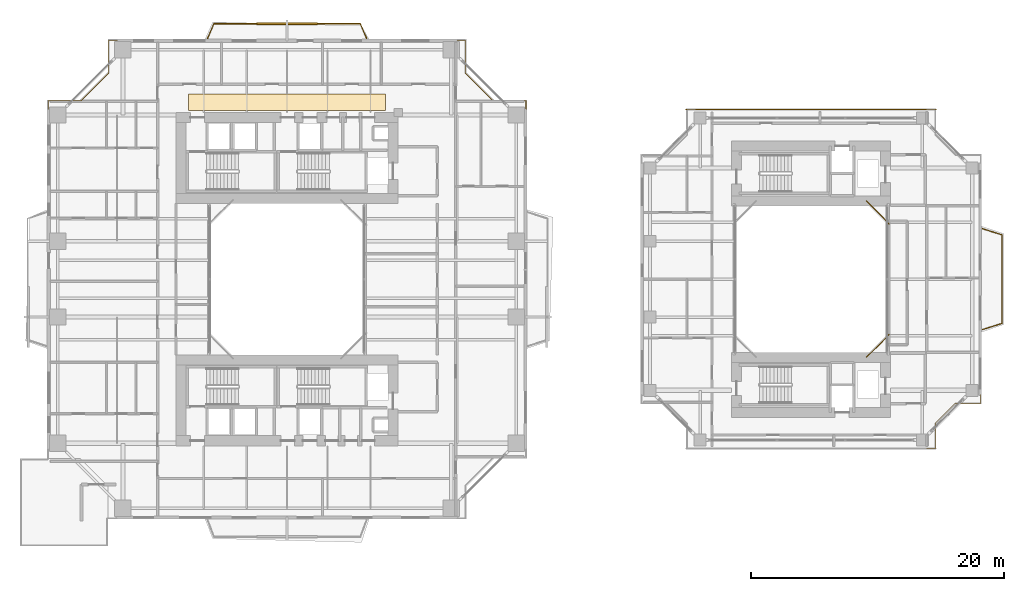
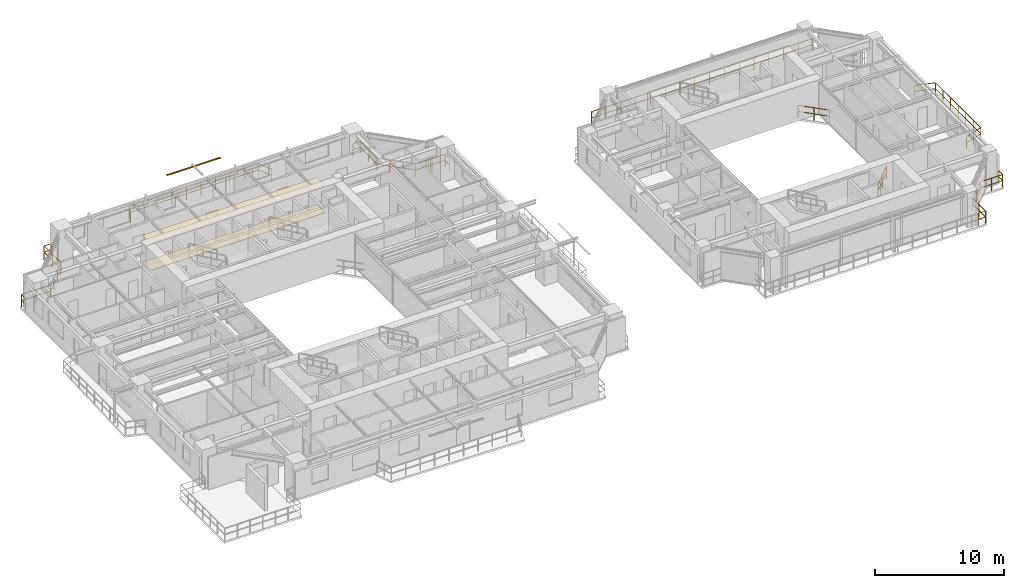
# One storey, part 23 of 24: 8 railings, 2 coverings, 1 shading device.
"""IFC4 building model written with IfcOpenShell, lengths in metres."""

from ifc_helpers import new_model, si_unit, direction, frame, origin, origin_2d, place, context, subcontext, project, spatial, polyline, rectangle, outline, extrude, source, transform, mapped, material, layer, layer_set, material_profile, profile_set, type_object, element, save


model = new_model("IFC4")

# Units and contexts
model_context = context("Model", 3, precision=1e-05, world=origin(), true_north=direction((0.0, 1.0)))
body_context = subcontext(model_context, "Body", "Model", "MODEL_VIEW")
ifc_project = project(units=[si_unit("LENGTHUNIT", "METRE"), si_unit("AREAUNIT", "SQUARE_METRE"), si_unit("VOLUMEUNIT", "CUBIC_METRE"), si_unit("PLANEANGLEUNIT", "RADIAN"), si_unit("MASSUNIT", "GRAM", prefix="KILO"), si_unit("THERMODYNAMICTEMPERATUREUNIT", "KELVIN"), si_unit("POWERUNIT", "WATT")], contexts=[model_context])

# Site, building, storey
site_placement = place(None, origin())
site = spatial("IfcSite", under=ifc_project, at=site_placement, CompositionType="ELEMENT")
building_placement = place(site_placement, origin())
building = spatial("IfcBuilding", under=site, at=building_placement, Name="Qiaomeng Ring Towers", CompositionType="ELEMENT")
storey_placement = place(building_placement, frame((0.0, 0.0, 63.25)))
storey = spatial("IfcBuildingStorey", under=building, at=storey_placement, Name="L17", CompositionType="ELEMENT", Elevation=63.25)

# Coverings
ifc_material_1 = material(Name="Moisture-resistant gypsum ceiling board", Category="gypsum")
ifc_layer_1 = layer(ifc_material_1, 0.030029296875, Name="Moisture-resistant gypsum ceiling board")
ifc_layer_set_1 = layer_set([ifc_layer_1], Name="Moisture-resistant gypsum ceiling board")
covering_type_1 = type_object("IfcCoveringType", Name="ARC-COV-CEIL2", PredefinedType="CEILING", material=ifc_layer_set_1)
covering_1_placement = place(storey_placement, frame((0.0, 0.0, 2.550048828125)))
element("IfcCovering", 1, at=covering_1_placement, inside=storey, type_object=covering_type_1, Name="L17 Corridor Acoustic Ceiling", PredefinedType="CEILING", context=body_context, shape_type="SweptSolid", body=[
    extrude(outline(polyline([(11.199951171875, 36.35009765625), (11.199951171875, 37.64990234375), (26.800048828125, 37.64990234375), (26.800048828125, 36.35009765625), (11.199951171875, 36.35009765625)])), origin(), (0.0, 0.0, 1.0), 0.02490234375),
])
ifc_material_2 = material(Name="Vitrified porcelain floor tile", Category="ceramic")
ifc_layer_2 = layer(ifc_material_2, 0.02001953125, Name="Vitrified porcelain floor tile")
ifc_layer_set_2 = layer_set([ifc_layer_2], Name="Vitrified porcelain floor tile")
covering_type_2 = type_object("IfcCoveringType", Name="ARC-COV-FLR1", PredefinedType="FLOORING", material=ifc_layer_set_2)
covering_2_placement = place(storey_placement, origin())
element("IfcCovering", 2, at=covering_2_placement, inside=storey, type_object=covering_type_2, Name="L17 Corridor Stone Flooring", PredefinedType="FLOORING", context=body_context, shape_type="SweptSolid", body=[
    extrude(outline(polyline([(11.199951171875, 36.35009765625), (11.199951171875, 37.64990234375), (26.800048828125, 37.64990234375), (26.800048828125, 36.35009765625), (11.199951171875, 36.35009765625)])), origin(), (0.0, 0.0, 1.0), 0.02001953125),
])

# Railings
ifc_material_3 = material(Name="Low-E pale-green laminated safety glass", Category="glass")
railing_type = type_object("IfcRailingType", Name="ARC-RL-BAL1", PredefinedType="BALUSTRADE", material=ifc_material_3)
railing_1_placement = place(storey_placement, frame((37.919921875, 36.469970703125, 0.0)))
element("IfcRailing", 3, at=railing_1_placement, inside=storey, type_object=railing_type, Name="L17 Balustrade ARC-BAL-NOTCH1-L17-NE", PredefinedType="BALUSTRADE", context=body_context, shape_type="SweptSolid", body=[
    extrude(rectangle(XDim=0.048095703125, YDim=0.048095703125, at=origin_2d()), frame((0.0, 0.0, 1.17578125), z_axis=(0.0, 1.0, 0.0), x_axis=(-1.0, 0.0, 0.0)), (0.0, 0.0, 1.0), 0.650146484375),
    extrude(rectangle(XDim=0.048095703125, YDim=0.048095703125, at=origin_2d()), frame((0.0, 0.0, 0.60009765625), z_axis=(0.0, 1.0, 0.0), x_axis=(-1.0, 0.0, 0.0)), (0.0, 0.0, 1.0), 0.650146484375),
    extrude(rectangle(XDim=0.048095703125, YDim=0.048095703125, at=origin_2d()), frame((0.0, 0.650146484375, 1.17578125), z_axis=(-1.0, 0.0, 0.0), x_axis=(0.0, -1.0, 0.0)), (0.0, 0.0, 1.0), 2.599853515625),
    extrude(rectangle(XDim=0.048095703125, YDim=0.048095703125, at=origin_2d()), frame((0.0, 0.650146484375, 0.60009765625), z_axis=(-1.0, 0.0, 0.0), x_axis=(0.0, -1.0, 0.0)), (0.0, 0.0, 1.0), 2.599853515625),
    extrude(rectangle(XDim=0.048095703125, YDim=0.048095703125, at=origin_2d()), frame((-2.599853515625, 0.650146484375, 1.17578125), z_axis=(-0.707106781187, 0.707106781187, 0.0), x_axis=(-0.707106781187, -0.707106781187, 0.0)), (0.0, 0.0, 1.0), 3.111083984375),
    extrude(rectangle(XDim=0.048095703125, YDim=0.048095703125, at=origin_2d()), frame((-2.599853515625, 0.650146484375, 0.60009765625), z_axis=(-0.707106781187, 0.707106781187, 0.0), x_axis=(-0.707106781187, -0.707106781187, 0.0)), (0.0, 0.0, 1.0), 3.111083984375),
    extrude(rectangle(XDim=0.048095703125, YDim=0.048095703125, at=origin_2d()), frame((-4.7998046875, 2.85009765625, 1.17578125), z_axis=(0.0, 1.0, 0.0), x_axis=(-1.0, 0.0, 0.0)), (0.0, 0.0, 1.0), 2.599853515625),
    extrude(rectangle(XDim=0.048095703125, YDim=0.048095703125, at=origin_2d()), frame((-4.7998046875, 2.85009765625, 0.60009765625), z_axis=(0.0, 1.0, 0.0), x_axis=(-1.0, 0.0, 0.0)), (0.0, 0.0, 1.0), 2.599853515625),
    extrude(rectangle(XDim=0.048095703125, YDim=0.048095703125, at=origin_2d()), frame((-4.7998046875, 5.449951171875, 1.17578125), z_axis=(-1.0, 0.0, 0.0), x_axis=(0.0, -1.0, 0.0)), (0.0, 0.0, 1.0), 0.650146484375),
    extrude(rectangle(XDim=0.048095703125, YDim=0.048095703125, at=origin_2d()), frame((-4.7998046875, 5.449951171875, 0.60009765625), z_axis=(-1.0, 0.0, 0.0), x_axis=(0.0, -1.0, 0.0)), (0.0, 0.0, 1.0), 0.650146484375),
    extrude(rectangle(XDim=0.0419921875, YDim=0.0419921875, at=origin_2d()), origin(), (0.0, 0.0, 1.0), 1.15185546875),
    extrude(rectangle(XDim=0.0419921875, YDim=0.0419921875, at=origin_2d()), frame((0.0, 0.650146484375, 0.0)), (0.0, 0.0, 1.0), 1.15185546875),
    extrude(rectangle(XDim=0.0419921875, YDim=0.0419921875, at=origin_2d()), frame((-1.2998046875, 0.650146484375, 0.0)), (0.0, 0.0, 1.0), 1.15185546875),
    extrude(rectangle(XDim=0.0419921875, YDim=0.0419921875, at=origin_2d()), frame((-2.599853515625, 0.650146484375, 0.0)), (0.0, 0.0, 1.0), 1.15185546875),
    extrude(rectangle(XDim=0.0419921875, YDim=0.0419921875, at=origin_2d()), frame((-3.333251953125, 1.383544921875, 0.0)), (0.0, 0.0, 1.0), 1.15185546875),
    extrude(rectangle(XDim=0.0419921875, YDim=0.0419921875, at=origin_2d()), frame((-4.06640625, 2.11669921875, 0.0)), (0.0, 0.0, 1.0), 1.15185546875),
    extrude(rectangle(XDim=0.0419921875, YDim=0.0419921875, at=origin_2d()), frame((-4.7998046875, 2.85009765625, 0.0)), (0.0, 0.0, 1.0), 1.15185546875),
    extrude(rectangle(XDim=0.0419921875, YDim=0.0419921875, at=origin_2d()), frame((-4.7998046875, 4.14990234375, 0.0)), (0.0, 0.0, 1.0), 1.15185546875),
    extrude(rectangle(XDim=0.0419921875, YDim=0.0419921875, at=origin_2d()), frame((-4.7998046875, 5.449951171875, 0.0)), (0.0, 0.0, 1.0), 1.15185546875),
    extrude(rectangle(XDim=0.0419921875, YDim=0.0419921875, at=origin_2d()), frame((-5.449951171875, 5.449951171875, 0.0)), (0.0, 0.0, 1.0), 1.15185546875),
])
railing_2_placement = place(storey_placement, frame((5.530029296875, 41.919921875, 0.0)))
element("IfcRailing", 4, at=railing_2_placement, inside=storey, type_object=railing_type, Name="L17 Balustrade ARC-BAL-NOTCH1-L17-NW", PredefinedType="BALUSTRADE", context=body_context, shape_type="SweptSolid", body=[
    extrude(rectangle(XDim=0.048095703125, YDim=0.048095703125, at=origin_2d()), frame((0.0, 0.0, 1.17578125), z_axis=(-1.0, 0.0, 0.0), x_axis=(0.0, -1.0, 0.0)), (0.0, 0.0, 1.0), 0.650146484375),
    extrude(rectangle(XDim=0.048095703125, YDim=0.048095703125, at=origin_2d()), frame((0.0, 0.0, 0.60009765625), z_axis=(-1.0, 0.0, 0.0), x_axis=(0.0, -1.0, 0.0)), (0.0, 0.0, 1.0), 0.650146484375),
    extrude(rectangle(XDim=0.048095703125, YDim=0.048095703125, at=origin_2d()), frame((-0.650146484375, 0.0, 1.17578125), z_axis=(0.0, -1.0, 0.0), x_axis=(1.0, 0.0, 0.0)), (0.0, 0.0, 1.0), 2.599853515625),
    extrude(rectangle(XDim=0.048095703125, YDim=0.048095703125, at=origin_2d()), frame((-0.650146484375, 0.0, 0.60009765625), z_axis=(0.0, -1.0, 0.0), x_axis=(1.0, 0.0, 0.0)), (0.0, 0.0, 1.0), 2.599853515625),
    extrude(rectangle(XDim=0.048095703125, YDim=0.048095703125, at=origin_2d()), frame((-0.650146484375, -2.599853515625, 1.17578125), z_axis=(-0.707106781187, -0.707106781187, 0.0), x_axis=(0.707106781187, -0.707106781187, 0.0)), (0.0, 0.0, 1.0), 3.111083984375),
    extrude(rectangle(XDim=0.048095703125, YDim=0.048095703125, at=origin_2d()), frame((-0.650146484375, -2.599853515625, 0.60009765625), z_axis=(-0.707106781187, -0.707106781187, 0.0), x_axis=(0.707106781187, -0.707106781187, 0.0)), (0.0, 0.0, 1.0), 3.111083984375),
    extrude(rectangle(XDim=0.048095703125, YDim=0.048095703125, at=origin_2d()), frame((-2.85009765625, -4.7998046875, 1.17578125), z_axis=(-1.0, 0.0, 0.0), x_axis=(0.0, -1.0, 0.0)), (0.0, 0.0, 1.0), 2.599853515625),
    extrude(rectangle(XDim=0.048095703125, YDim=0.048095703125, at=origin_2d()), frame((-2.85009765625, -4.7998046875, 0.60009765625), z_axis=(-1.0, 0.0, 0.0), x_axis=(0.0, -1.0, 0.0)), (0.0, 0.0, 1.0), 2.599853515625),
    extrude(rectangle(XDim=0.048095703125, YDim=0.048095703125, at=origin_2d()), frame((-5.449951171875, -4.7998046875, 1.17578125), z_axis=(0.0, -1.0, 0.0), x_axis=(1.0, 0.0, 0.0)), (0.0, 0.0, 1.0), 0.650146484375),
    extrude(rectangle(XDim=0.048095703125, YDim=0.048095703125, at=origin_2d()), frame((-5.449951171875, -4.7998046875, 0.60009765625), z_axis=(0.0, -1.0, 0.0), x_axis=(1.0, 0.0, 0.0)), (0.0, 0.0, 1.0), 0.650146484375),
    extrude(rectangle(XDim=0.0419921875, YDim=0.0419921875, at=origin_2d()), origin(), (0.0, 0.0, 1.0), 1.15185546875),
    extrude(rectangle(XDim=0.0419921875, YDim=0.0419921875, at=origin_2d()), frame((-0.650146484375, 0.0, 0.0)), (0.0, 0.0, 1.0), 1.15185546875),
    extrude(rectangle(XDim=0.0419921875, YDim=0.0419921875, at=origin_2d()), frame((-0.650146484375, -1.2998046875, 0.0)), (0.0, 0.0, 1.0), 1.15185546875),
    extrude(rectangle(XDim=0.0419921875, YDim=0.0419921875, at=origin_2d()), frame((-0.650146484375, -2.599853515625, 0.0)), (0.0, 0.0, 1.0), 1.15185546875),
    extrude(rectangle(XDim=0.0419921875, YDim=0.0419921875, at=origin_2d()), frame((-1.383544921875, -3.333251953125, 0.0)), (0.0, 0.0, 1.0), 1.15185546875),
    extrude(rectangle(XDim=0.0419921875, YDim=0.0419921875, at=origin_2d()), frame((-2.11669921875, -4.06640625, 0.0)), (0.0, 0.0, 1.0), 1.15185546875),
    extrude(rectangle(XDim=0.0419921875, YDim=0.0419921875, at=origin_2d()), frame((-2.85009765625, -4.7998046875, 0.0)), (0.0, 0.0, 1.0), 1.15185546875),
    extrude(rectangle(XDim=0.0419921875, YDim=0.0419921875, at=origin_2d()), frame((-4.14990234375, -4.7998046875, 0.0)), (0.0, 0.0, 1.0), 1.15185546875),
    extrude(rectangle(XDim=0.0419921875, YDim=0.0419921875, at=origin_2d()), frame((-5.449951171875, -4.7998046875, 0.0)), (0.0, 0.0, 1.0), 1.15185546875),
    extrude(rectangle(XDim=0.0419921875, YDim=0.0419921875, at=origin_2d()), frame((-5.449951171875, -5.449951171875, 0.0)), (0.0, 0.0, 1.0), 1.15185546875),
])
railing_3_placement = place(storey_placement, frame((12.699951171875, 42.050048828125, 0.0)))
element("IfcRailing", 5, at=railing_3_placement, inside=storey, type_object=railing_type, Name="L17 Balustrade ARC-BAL-L17-T1-N", PredefinedType="BALUSTRADE", context=body_context, shape_type="SweptSolid", body=[
    extrude(rectangle(XDim=0.048095703125, YDim=0.048095703125, at=origin_2d()), frame((0.0, 0.0, 1.17578125), z_axis=(0.39299272826, 0.919541579014, 0.0), x_axis=(-0.919541579014, 0.39299272826, 0.0)), (0.0, 0.0, 1.0), 1.272216796875),
    extrude(rectangle(XDim=0.048095703125, YDim=0.048095703125, at=origin_2d()), frame((0.0, 0.0, 0.60009765625), z_axis=(0.39299272826, 0.919541579014, 0.0), x_axis=(-0.919541579014, 0.39299272826, 0.0)), (0.0, 0.0, 1.0), 1.272216796875),
    extrude(rectangle(XDim=0.048095703125, YDim=0.048095703125, at=origin_2d()), frame((0.5, 1.169921875, 1.17578125), z_axis=(1.0, 0.0, 0.0), x_axis=(0.0, 1.0, 0.0)), (0.0, 0.0, 1.0), 11.60009765625),
    extrude(rectangle(XDim=0.048095703125, YDim=0.048095703125, at=origin_2d()), frame((0.5, 1.169921875, 0.60009765625), z_axis=(1.0, 0.0, 0.0), x_axis=(0.0, 1.0, 0.0)), (0.0, 0.0, 1.0), 11.60009765625),
    extrude(rectangle(XDim=0.048095703125, YDim=0.048095703125, at=origin_2d()), frame((12.10009765625, 1.169921875, 1.17578125), z_axis=(0.39299272826, -0.919541579014, 0.0), x_axis=(0.919541579014, 0.39299272826, 0.0)), (0.0, 0.0, 1.0), 1.272216796875),
    extrude(rectangle(XDim=0.048095703125, YDim=0.048095703125, at=origin_2d()), frame((12.10009765625, 1.169921875, 0.60009765625), z_axis=(0.39299272826, -0.919541579014, 0.0), x_axis=(0.919541579014, 0.39299272826, 0.0)), (0.0, 0.0, 1.0), 1.272216796875),
    extrude(rectangle(XDim=0.0419921875, YDim=0.0419921875, at=origin_2d()), origin(), (0.0, 0.0, 1.0), 1.15185546875),
    extrude(rectangle(XDim=0.0419921875, YDim=0.0419921875, at=origin_2d()), frame((0.5, 1.169921875, 0.0)), (0.0, 0.0, 1.0), 1.15185546875),
    extrude(rectangle(XDim=0.0419921875, YDim=0.0419921875, at=origin_2d()), frame((1.788818359375, 1.169921875, 0.0)), (0.0, 0.0, 1.0), 1.15185546875),
    extrude(rectangle(XDim=0.0419921875, YDim=0.0419921875, at=origin_2d()), frame((3.077880859375, 1.169921875, 0.0)), (0.0, 0.0, 1.0), 1.15185546875),
    extrude(rectangle(XDim=0.0419921875, YDim=0.0419921875, at=origin_2d()), frame((4.36669921875, 1.169921875, 0.0)), (0.0, 0.0, 1.0), 1.15185546875),
    extrude(rectangle(XDim=0.0419921875, YDim=0.0419921875, at=origin_2d()), frame((5.655517578125, 1.169921875, 0.0)), (0.0, 0.0, 1.0), 1.15185546875),
    extrude(rectangle(XDim=0.0419921875, YDim=0.0419921875, at=origin_2d()), frame((6.944580078125, 1.169921875, 0.0)), (0.0, 0.0, 1.0), 1.15185546875),
    extrude(rectangle(XDim=0.0419921875, YDim=0.0419921875, at=origin_2d()), frame((8.2333984375, 1.169921875, 0.0)), (0.0, 0.0, 1.0), 1.15185546875),
    extrude(rectangle(XDim=0.0419921875, YDim=0.0419921875, at=origin_2d()), frame((9.522216796875, 1.169921875, 0.0)), (0.0, 0.0, 1.0), 1.15185546875),
    extrude(rectangle(XDim=0.0419921875, YDim=0.0419921875, at=origin_2d()), frame((10.811279296875, 1.169921875, 0.0)), (0.0, 0.0, 1.0), 1.15185546875),
    extrude(rectangle(XDim=0.0419921875, YDim=0.0419921875, at=origin_2d()), frame((12.10009765625, 1.169921875, 0.0)), (0.0, 0.0, 1.0), 1.15185546875),
    extrude(rectangle(XDim=0.0419921875, YDim=0.0419921875, at=origin_2d()), frame((12.60009765625, 0.0, 0.0)), (0.0, 0.0, 1.0), 1.15185546875),
])
railing_4_placement = place(storey_placement, frame((64.8798828125, 16.820068359375, 0.0)))
element("IfcRailing", 6, at=railing_4_placement, inside=storey, type_object=railing_type, Name="L17 Balustrade ARC-BAL-WELL2-L17-1", PredefinedType="BALUSTRADE", context=body_context, shape_type="SweptSolid", body=[
    extrude(rectangle(XDim=0.048095703125, YDim=0.048095703125, at=origin_2d()), frame((0.0, 0.0, 1.17578125), z_axis=(0.707106781187, 0.707106781187, 0.0), x_axis=(-0.707106781187, 0.707106781187, 0.0)), (0.0, 0.0, 1.0), 2.545654296875),
    extrude(rectangle(XDim=0.048095703125, YDim=0.048095703125, at=origin_2d()), frame((0.0, 0.0, 0.60009765625), z_axis=(0.707106781187, 0.707106781187, 0.0), x_axis=(-0.707106781187, 0.707106781187, 0.0)), (0.0, 0.0, 1.0), 2.545654296875),
    extrude(rectangle(XDim=0.0419921875, YDim=0.0419921875, at=origin_2d()), origin(), (0.0, 0.0, 1.0), 1.15185546875),
    extrude(rectangle(XDim=0.0419921875, YDim=0.0419921875, at=origin_2d()), frame((0.89990234375, 0.89990234375, 0.0)), (0.0, 0.0, 1.0), 1.15185546875),
    extrude(rectangle(XDim=0.0419921875, YDim=0.0419921875, at=origin_2d()), frame((1.800048828125, 1.800048828125, 0.0)), (0.0, 0.0, 1.0), 1.15185546875),
])
railing_5_placement = place(storey_placement, frame((66.679931640625, 27.3798828125, 0.0)))
element("IfcRailing", 7, at=railing_5_placement, inside=storey, type_object=railing_type, Name="L17 Balustrade ARC-BAL-WELL2-L17-2", PredefinedType="BALUSTRADE", context=body_context, shape_type="SweptSolid", body=[
    extrude(rectangle(XDim=0.048095703125, YDim=0.048095703125, at=origin_2d()), frame((0.0, 0.0, 1.17578125), z_axis=(-0.707106781187, 0.707106781187, 0.0), x_axis=(-0.707106781187, -0.707106781187, 0.0)), (0.0, 0.0, 1.0), 2.545654296875),
    extrude(rectangle(XDim=0.048095703125, YDim=0.048095703125, at=origin_2d()), frame((0.0, 0.0, 0.60009765625), z_axis=(-0.707106781187, 0.707106781187, 0.0), x_axis=(-0.707106781187, -0.707106781187, 0.0)), (0.0, 0.0, 1.0), 2.545654296875),
    extrude(rectangle(XDim=0.0419921875, YDim=0.0419921875, at=origin_2d()), origin(), (0.0, 0.0, 1.0), 1.15185546875),
    extrude(rectangle(XDim=0.0419921875, YDim=0.0419921875, at=origin_2d()), frame((-0.89990234375, 0.89990234375, 0.0)), (0.0, 0.0, 1.0), 1.15185546875),
    extrude(rectangle(XDim=0.0419921875, YDim=0.0419921875, at=origin_2d()), frame((-1.800048828125, 1.800048828125, 0.0)), (0.0, 0.0, 1.0), 1.15185546875),
])
railing_6_placement = place(storey_placement, frame((69.669921875, 9.580078125, 0.0)))
element("IfcRailing", 8, at=railing_6_placement, inside=storey, type_object=railing_type, Name="L17 Balustrade ARC-BAL-NOTCH2-L17-SE", PredefinedType="BALUSTRADE", context=body_context, shape_type="SweptSolid", body=[
    extrude(rectangle(XDim=0.048095703125, YDim=0.048095703125, at=origin_2d()), frame((0.0, 0.0, 1.17578125), z_axis=(1.0, 0.0, 0.0), x_axis=(0.0, 1.0, 0.0)), (0.0, 0.0, 1.0), 0.650146484375),
    extrude(rectangle(XDim=0.048095703125, YDim=0.048095703125, at=origin_2d()), frame((0.0, 0.0, 0.60009765625), z_axis=(1.0, 0.0, 0.0), x_axis=(0.0, 1.0, 0.0)), (0.0, 0.0, 1.0), 0.650146484375),
    extrude(rectangle(XDim=0.048095703125, YDim=0.048095703125, at=origin_2d()), frame((0.650146484375, 0.0, 1.17578125), z_axis=(0.0, 1.0, 0.0), x_axis=(-1.0, 0.0, 0.0)), (0.0, 0.0, 1.0), 2.0),
    extrude(rectangle(XDim=0.048095703125, YDim=0.048095703125, at=origin_2d()), frame((0.650146484375, 0.0, 0.60009765625), z_axis=(0.0, 1.0, 0.0), x_axis=(-1.0, 0.0, 0.0)), (0.0, 0.0, 1.0), 2.0),
    extrude(rectangle(XDim=0.048095703125, YDim=0.048095703125, at=origin_2d()), frame((0.650146484375, 2.0, 1.17578125), z_axis=(0.707106781187, 0.707106781187, 0.0), x_axis=(-0.707106781187, 0.707106781187, 0.0)), (0.0, 0.0, 1.0), 2.262451171875),
    extrude(rectangle(XDim=0.048095703125, YDim=0.048095703125, at=origin_2d()), frame((0.650146484375, 2.0, 0.60009765625), z_axis=(0.707106781187, 0.707106781187, 0.0), x_axis=(-0.707106781187, 0.707106781187, 0.0)), (0.0, 0.0, 1.0), 2.262451171875),
    extrude(rectangle(XDim=0.048095703125, YDim=0.048095703125, at=origin_2d()), frame((2.25, 3.599853515625, 1.17578125), z_axis=(1.0, 0.0, 0.0), x_axis=(0.0, 1.0, 0.0)), (0.0, 0.0, 1.0), 2.0),
    extrude(rectangle(XDim=0.048095703125, YDim=0.048095703125, at=origin_2d()), frame((2.25, 3.599853515625, 0.60009765625), z_axis=(1.0, 0.0, 0.0), x_axis=(0.0, 1.0, 0.0)), (0.0, 0.0, 1.0), 2.0),
    extrude(rectangle(XDim=0.048095703125, YDim=0.048095703125, at=origin_2d()), frame((4.25, 3.599853515625, 1.17578125), z_axis=(0.0, 1.0, 0.0), x_axis=(-1.0, 0.0, 0.0)), (0.0, 0.0, 1.0), 0.650146484375),
    extrude(rectangle(XDim=0.048095703125, YDim=0.048095703125, at=origin_2d()), frame((4.25, 3.599853515625, 0.60009765625), z_axis=(0.0, 1.0, 0.0), x_axis=(-1.0, 0.0, 0.0)), (0.0, 0.0, 1.0), 0.650146484375),
    extrude(rectangle(XDim=0.0419921875, YDim=0.0419921875, at=origin_2d()), origin(), (0.0, 0.0, 1.0), 1.15185546875),
    extrude(rectangle(XDim=0.0419921875, YDim=0.0419921875, at=origin_2d()), frame((0.650146484375, 0.0, 0.0)), (0.0, 0.0, 1.0), 1.15185546875),
    extrude(rectangle(XDim=0.0419921875, YDim=0.0419921875, at=origin_2d()), frame((0.650146484375, 1.0, 0.0)), (0.0, 0.0, 1.0), 1.15185546875),
    extrude(rectangle(XDim=0.0419921875, YDim=0.0419921875, at=origin_2d()), frame((0.650146484375, 2.0, 0.0)), (0.0, 0.0, 1.0), 1.15185546875),
    extrude(rectangle(XDim=0.0419921875, YDim=0.0419921875, at=origin_2d()), frame((1.4501953125, 2.7998046875, 0.0)), (0.0, 0.0, 1.0), 1.15185546875),
    extrude(rectangle(XDim=0.0419921875, YDim=0.0419921875, at=origin_2d()), frame((2.25, 3.599853515625, 0.0)), (0.0, 0.0, 1.0), 1.15185546875),
    extrude(rectangle(XDim=0.0419921875, YDim=0.0419921875, at=origin_2d()), frame((3.25, 3.599853515625, 0.0)), (0.0, 0.0, 1.0), 1.15185546875),
    extrude(rectangle(XDim=0.0419921875, YDim=0.0419921875, at=origin_2d()), frame((4.25, 3.599853515625, 0.0)), (0.0, 0.0, 1.0), 1.15185546875),
    extrude(rectangle(XDim=0.0419921875, YDim=0.0419921875, at=origin_2d()), frame((4.25, 4.25, 0.0)), (0.0, 0.0, 1.0), 1.15185546875),
])
railing_7_placement = place(storey_placement, frame((50.60009765625, 36.419921875, 0.0)))
element("IfcRailing", 9, at=railing_7_placement, inside=storey, type_object=railing_type, Name="L17 Balustrade ARC-BAL-T2N-L17", PredefinedType="BALUSTRADE", context=body_context, shape_type="SweptSolid", body=[
    extrude(rectangle(XDim=0.048095703125, YDim=0.048095703125, at=origin_2d()), frame((0.0, 0.0, 1.17578125), z_axis=(1.0, 0.0, 0.0), x_axis=(0.0, 1.0, 0.0)), (0.0, 0.0, 1.0), 19.7998046875),
    extrude(rectangle(XDim=0.048095703125, YDim=0.048095703125, at=origin_2d()), frame((0.0, 0.0, 0.60009765625), z_axis=(1.0, 0.0, 0.0), x_axis=(0.0, 1.0, 0.0)), (0.0, 0.0, 1.0), 19.7998046875),
    extrude(rectangle(XDim=0.0419921875, YDim=0.0419921875, at=origin_2d()), origin(), (0.0, 0.0, 1.0), 1.15185546875),
    extrude(rectangle(XDim=0.0419921875, YDim=0.0419921875, at=origin_2d()), frame((1.320068359375, 0.0, 0.0)), (0.0, 0.0, 1.0), 1.15185546875),
    extrude(rectangle(XDim=0.0419921875, YDim=0.0419921875, at=origin_2d()), frame((2.639892578125, 0.0, 0.0)), (0.0, 0.0, 1.0), 1.15185546875),
    extrude(rectangle(XDim=0.0419921875, YDim=0.0419921875, at=origin_2d()), frame((3.9599609375, 0.0, 0.0)), (0.0, 0.0, 1.0), 1.15185546875),
    extrude(rectangle(XDim=0.0419921875, YDim=0.0419921875, at=origin_2d()), frame((5.280029296875, 0.0, 0.0)), (0.0, 0.0, 1.0), 1.15185546875),
    extrude(rectangle(XDim=0.0419921875, YDim=0.0419921875, at=origin_2d()), frame((6.599853515625, 0.0, 0.0)), (0.0, 0.0, 1.0), 1.15185546875),
    extrude(rectangle(XDim=0.0419921875, YDim=0.0419921875, at=origin_2d()), frame((7.919921875, 0.0, 0.0)), (0.0, 0.0, 1.0), 1.15185546875),
    extrude(rectangle(XDim=0.0419921875, YDim=0.0419921875, at=origin_2d()), frame((9.239990234375, 0.0, 0.0)), (0.0, 0.0, 1.0), 1.15185546875),
    extrude(rectangle(XDim=0.0419921875, YDim=0.0419921875, at=origin_2d()), frame((10.559814453125, 0.0, 0.0)), (0.0, 0.0, 1.0), 1.15185546875),
    extrude(rectangle(XDim=0.0419921875, YDim=0.0419921875, at=origin_2d()), frame((11.8798828125, 0.0, 0.0)), (0.0, 0.0, 1.0), 1.15185546875),
    extrude(rectangle(XDim=0.0419921875, YDim=0.0419921875, at=origin_2d()), frame((13.199951171875, 0.0, 0.0)), (0.0, 0.0, 1.0), 1.15185546875),
    extrude(rectangle(XDim=0.0419921875, YDim=0.0419921875, at=origin_2d()), frame((14.519775390625, 0.0, 0.0)), (0.0, 0.0, 1.0), 1.15185546875),
    extrude(rectangle(XDim=0.0419921875, YDim=0.0419921875, at=origin_2d()), frame((15.83984375, 0.0, 0.0)), (0.0, 0.0, 1.0), 1.15185546875),
    extrude(rectangle(XDim=0.0419921875, YDim=0.0419921875, at=origin_2d()), frame((17.159912109375, 0.0, 0.0)), (0.0, 0.0, 1.0), 1.15185546875),
    extrude(rectangle(XDim=0.0419921875, YDim=0.0419921875, at=origin_2d()), frame((18.479736328125, 0.0, 0.0)), (0.0, 0.0, 1.0), 1.15185546875),
    extrude(rectangle(XDim=0.0419921875, YDim=0.0419921875, at=origin_2d()), frame((19.7998046875, 0.0, 0.0)), (0.0, 0.0, 1.0), 1.15185546875),
])
railing_8_placement = place(storey_placement, frame((74.050048828125, 19.0, 0.0)))
element("IfcRailing", 10, at=railing_8_placement, inside=storey, type_object=railing_type, Name="L17 Balustrade ARC-BAL-L17-T2-E", PredefinedType="BALUSTRADE", context=body_context, shape_type="SweptSolid", body=[
    extrude(rectangle(XDim=0.048095703125, YDim=0.048095703125, at=origin_2d()), frame((0.0, 0.0, 1.17578125), z_axis=(0.952849860715, 0.303442157479, 0.0), x_axis=(-0.303442157479, 0.952849860715, 0.0)), (0.0, 0.0, 1.0), 1.647705078125),
    extrude(rectangle(XDim=0.048095703125, YDim=0.048095703125, at=origin_2d()), frame((0.0, 0.0, 0.60009765625), z_axis=(0.952849860715, 0.303442157479, 0.0), x_axis=(-0.303442157479, 0.952849860715, 0.0)), (0.0, 0.0, 1.0), 1.647705078125),
    extrude(rectangle(XDim=0.048095703125, YDim=0.048095703125, at=origin_2d()), frame((1.570068359375, 0.5, 1.17578125), z_axis=(0.0, 1.0, 0.0), x_axis=(-1.0, 0.0, 0.0)), (0.0, 0.0, 1.0), 7.0),
    extrude(rectangle(XDim=0.048095703125, YDim=0.048095703125, at=origin_2d()), frame((1.570068359375, 0.5, 0.60009765625), z_axis=(0.0, 1.0, 0.0), x_axis=(-1.0, 0.0, 0.0)), (0.0, 0.0, 1.0), 7.0),
    extrude(rectangle(XDim=0.048095703125, YDim=0.048095703125, at=origin_2d()), frame((1.570068359375, 7.5, 1.17578125), z_axis=(-0.952849860715, 0.303442157479, 0.0), x_axis=(-0.303442157479, -0.952849860715, 0.0)), (0.0, 0.0, 1.0), 1.647705078125),
    extrude(rectangle(XDim=0.048095703125, YDim=0.048095703125, at=origin_2d()), frame((1.570068359375, 7.5, 0.60009765625), z_axis=(-0.952849860715, 0.303442157479, 0.0), x_axis=(-0.303442157479, -0.952849860715, 0.0)), (0.0, 0.0, 1.0), 1.647705078125),
    extrude(rectangle(XDim=0.0419921875, YDim=0.0419921875, at=origin_2d()), origin(), (0.0, 0.0, 1.0), 1.15185546875),
    extrude(rectangle(XDim=0.0419921875, YDim=0.0419921875, at=origin_2d()), frame((0.78515625, 0.25, 0.0)), (0.0, 0.0, 1.0), 1.15185546875),
    extrude(rectangle(XDim=0.0419921875, YDim=0.0419921875, at=origin_2d()), frame((1.570068359375, 0.5, 0.0)), (0.0, 0.0, 1.0), 1.15185546875),
    extrude(rectangle(XDim=0.0419921875, YDim=0.0419921875, at=origin_2d()), frame((1.570068359375, 1.666748046875, 0.0)), (0.0, 0.0, 1.0), 1.15185546875),
    extrude(rectangle(XDim=0.0419921875, YDim=0.0419921875, at=origin_2d()), frame((1.570068359375, 2.833251953125, 0.0)), (0.0, 0.0, 1.0), 1.15185546875),
    extrude(rectangle(XDim=0.0419921875, YDim=0.0419921875, at=origin_2d()), frame((1.570068359375, 4.0, 0.0)), (0.0, 0.0, 1.0), 1.15185546875),
    extrude(rectangle(XDim=0.0419921875, YDim=0.0419921875, at=origin_2d()), frame((1.570068359375, 5.166748046875, 0.0)), (0.0, 0.0, 1.0), 1.15185546875),
    extrude(rectangle(XDim=0.0419921875, YDim=0.0419921875, at=origin_2d()), frame((1.570068359375, 6.333251953125, 0.0)), (0.0, 0.0, 1.0), 1.15185546875),
    extrude(rectangle(XDim=0.0419921875, YDim=0.0419921875, at=origin_2d()), frame((1.570068359375, 7.5, 0.0)), (0.0, 0.0, 1.0), 1.15185546875),
    extrude(rectangle(XDim=0.0419921875, YDim=0.0419921875, at=origin_2d()), frame((0.78515625, 7.75, 0.0)), (0.0, 0.0, 1.0), 1.15185546875),
    extrude(rectangle(XDim=0.0419921875, YDim=0.0419921875, at=origin_2d()), frame((0.0, 8.0, 0.0)), (0.0, 0.0, 1.0), 1.15185546875),
])

# Shading device
ifc_material_4 = material(Name="Fluorocarbon dark-grey aluminium", Category="aluminium")
ifc_material_profile = material_profile(ifc_material_4, rectangle(XDim=0.14990234375, YDim=0.034912109375, at=origin_2d()), Name="LV BLADE 150x35")
ifc_profile_set = profile_set([ifc_material_profile], Name="Fluorocarbon dark-grey aluminium")
shading_device_type = type_object("IfcShadingDeviceType", Name="ARC-SHD-SUN", PredefinedType="AWNING", material=ifc_profile_set)
shared_shape = source(origin(), body_context, "Body", "SweptSolid", [
    extrude(rectangle(XDim=0.14990234375, YDim=0.034912109375, at=origin_2d()), origin(), (0.0, 0.0, 1.0), 4.7998046875),
])
shading_device_placement = place(storey_placement, frame((16.60009765625, 43.219970703125, 2.969970703125), z_axis=(1.0, 0.0, 0.0), x_axis=(0.0, 1.0, 0.0)))
element("IfcShadingDevice", 11, at=shading_device_placement, inside=storey, type_object=shading_device_type, Name="L17 Ventilated Outer-Skin Sunshade N", PredefinedType="AWNING", context=body_context, shape_type="MappedRepresentation", body=[
    mapped(shared_shape, transform((0.0, 0.0, 0.0), x_axis=(1.0, 0.0, 0.0), y_axis=(0.0, 1.0, 0.0), z_axis=(0.0, 0.0, 1.0), scale=1.0)),
])

save(model, "model.ifc")
